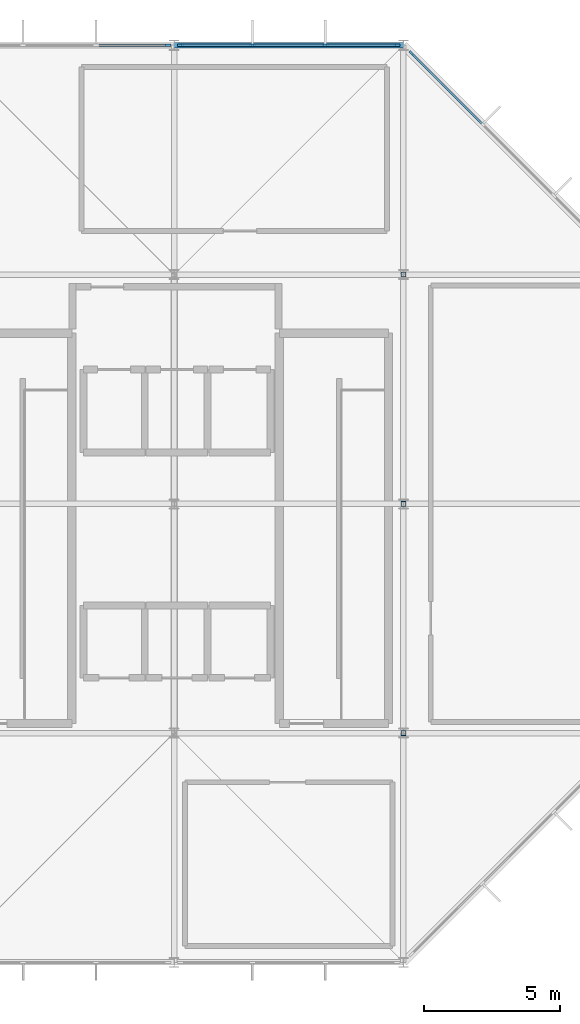
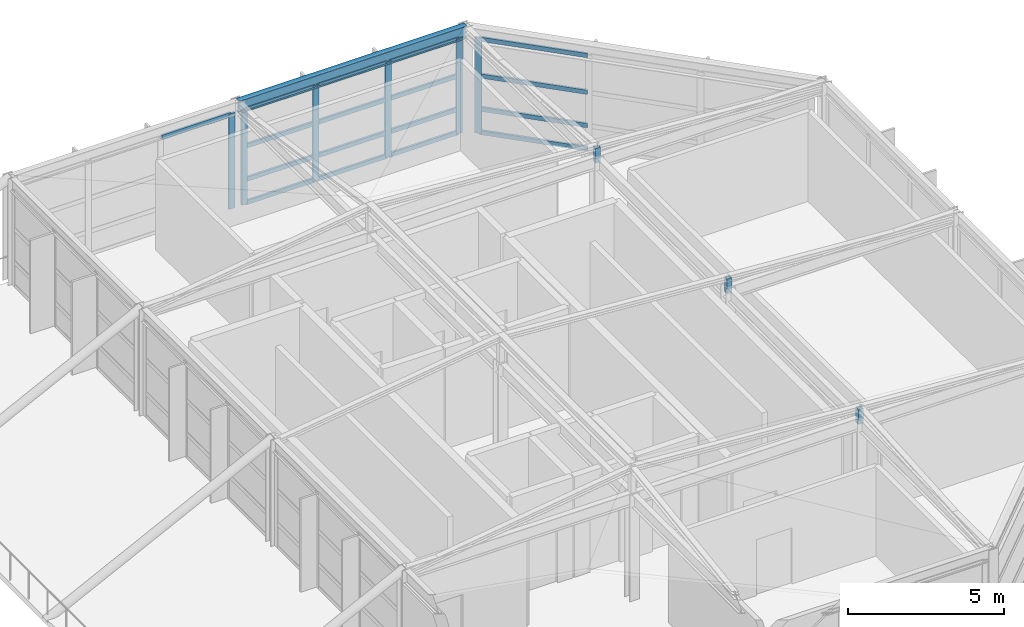
# One storey, part 5 of 9: 26 members, 1 beam, 3 elements without a shape of their own.
"""IFC4 building model written with IfcOpenShell, lengths in metres."""

from ifc_helpers import new_model, si_unit, direction, frame, origin, origin_2d, place, context, subcontext, project, spatial, rectangle, hollow_rectangle, i_section, extrude, material, material_profile, profile_set, type_object, element, aggregate, save


model = new_model("IFC4")

# Units and contexts
model_context = context("Model", 3, precision=1e-05, world=origin(), true_north=direction((0.0, 1.0)))
body_context = subcontext(model_context, "Body", "Model", "MODEL_VIEW")
ifc_project = project(units=[si_unit("LENGTHUNIT", "METRE"), si_unit("AREAUNIT", "SQUARE_METRE"), si_unit("VOLUMEUNIT", "CUBIC_METRE"), si_unit("PLANEANGLEUNIT", "RADIAN"), si_unit("MASSUNIT", "GRAM", prefix="KILO")], contexts=[model_context])

# Site, building, storey
site_placement = place(None, origin())
site = spatial("IfcSite", under=ifc_project, at=site_placement, CompositionType="ELEMENT")
building_placement = place(site_placement, origin())
building = spatial("IfcBuilding", under=site, at=building_placement, Name="Xuanlan Plaza Opera House", CompositionType="ELEMENT")
storey_placement = place(building_placement, frame((0.0, 0.0, 74.39990234375)))
storey = spatial("IfcBuildingStorey", under=building, at=storey_placement, Name="ROOF", CompositionType="ELEMENT", Elevation=74.39990234375)

# Curtain wall, member
ifc_material_1 = material(Name="Anodised Aluminium 6063-T6 and Low-E Glass", Category="aluminium")
curtain_wall_type_1 = type_object("IfcCurtainWallType", Name="ENV-CW-CW-04", PredefinedType="USERDEFINED", material=ifc_material_1)
curtain_wall_1_placement = place(storey_placement, origin())
curtain_wall_1 = element("IfcCurtainWall", 1, at=curtain_wall_1_placement, inside=storey, type_object=curtain_wall_type_1, Name="Unitised Curtain Wall ROOF-006", ObjectType="UNITISED CURTAIN WALL", PredefinedType="USERDEFINED")
ifc_material_2 = material(Name="Anodised Aluminium 6063-T6", Category="aluminium")
ifc_material_profile_1 = material_profile(ifc_material_2, rectangle(XDim=0.080078125, YDim=0.219970703125, at=origin_2d()), Name="ALU-M 80x220")
ifc_profile_set_1 = profile_set([ifc_material_profile_1], Name="Anodised Aluminium 6063-T6")
member_type_1 = type_object("IfcMemberType", Name="ENV-CWM-04", PredefinedType="MULLION", material=ifc_profile_set_1)
member_1_placement = place(storey_placement, frame((151.502197265625, 75.297607421875, 0.0), z_axis=(0.0, 0.0, 1.0), x_axis=(-0.707106781187, -0.707106781187, 0.0)))
member_1 = element("IfcMember", 2, at=member_1_placement, type_object=member_type_1, Name="CW-04 mullion 4", PredefinedType="MULLION", context=body_context, shape_type="SweptSolid", body=[
    extrude(rectangle(XDim=0.080078125, YDim=0.219970703125, at=origin_2d()), origin(), (0.0, 0.0, 1.0), 3.72021484375),
])

# Curtain wall, members
curtain_wall_type_2 = type_object("IfcCurtainWallType", Name="ENV-CW-CW-03", PredefinedType="USERDEFINED", material=ifc_material_1)
curtain_wall_2_placement = place(storey_placement, origin())
curtain_wall_2 = element("IfcCurtainWall", 3, at=curtain_wall_2_placement, inside=storey, type_object=curtain_wall_type_2, Name="Unitised Curtain Wall ROOF-007", ObjectType="UNITISED CURTAIN WALL", PredefinedType="USERDEFINED")
member_2_placement = place(storey_placement, frame((150.965087890625, 75.60009765625, 0.0), z_axis=(0.0, 0.0, 1.0), x_axis=(0.0, -1.0, 0.0)))
member_2 = element("IfcMember", 4, at=member_2_placement, type_object=member_type_1, Name="CW-03 mullion 1", PredefinedType="MULLION", context=body_context, shape_type="SweptSolid", body=[
    extrude(rectangle(XDim=0.080078125, YDim=0.219970703125, at=origin_2d()), origin(), (0.0, 0.0, 1.0), 3.72021484375),
])
member_3_placement = place(storey_placement, frame((148.3349609375, 75.60009765625, 0.0), z_axis=(0.0, 0.0, 1.0), x_axis=(0.0, -1.0, 0.0)))
member_3 = element("IfcMember", 5, at=member_3_placement, type_object=member_type_1, Name="CW-03 mullion 2", PredefinedType="MULLION", context=body_context, shape_type="SweptSolid", body=[
    extrude(rectangle(XDim=0.080078125, YDim=0.219970703125, at=origin_2d()), origin(), (0.0, 0.0, 1.0), 3.72021484375),
])
member_4_placement = place(storey_placement, frame((145.6650390625, 75.60009765625, 0.0), z_axis=(0.0, 0.0, 1.0), x_axis=(0.0, -1.0, 0.0)))
member_4 = element("IfcMember", 6, at=member_4_placement, type_object=member_type_1, Name="CW-03 mullion 3", PredefinedType="MULLION", context=body_context, shape_type="SweptSolid", body=[
    extrude(rectangle(XDim=0.080078125, YDim=0.219970703125, at=origin_2d()), origin(), (0.0, 0.0, 1.0), 3.72021484375),
])
member_5_placement = place(storey_placement, frame((143.034912109375, 75.60009765625, 0.0), z_axis=(0.0, 0.0, 1.0), x_axis=(0.0, -1.0, 0.0)))
member_5 = element("IfcMember", 7, at=member_5_placement, type_object=member_type_1, Name="CW-03 mullion 4", PredefinedType="MULLION", context=body_context, shape_type="SweptSolid", body=[
    extrude(rectangle(XDim=0.080078125, YDim=0.219970703125, at=origin_2d()), origin(), (0.0, 0.0, 1.0), 3.72021484375),
])

# Curtain wall, member
curtain_wall_3_placement = place(storey_placement, origin())
curtain_wall_3 = element("IfcCurtainWall", 8, at=curtain_wall_3_placement, inside=storey, type_object=curtain_wall_type_1, Name="Unitised Curtain Wall ROOF-008", ObjectType="UNITISED CURTAIN WALL", PredefinedType="USERDEFINED")
member_6_placement = place(storey_placement, frame((142.56494140625, 75.60009765625, 0.0), z_axis=(0.0, 0.0, 1.0), x_axis=(0.0, -1.0, 0.0)))
member_6 = element("IfcMember", 9, at=member_6_placement, type_object=member_type_1, Name="CW-04 mullion 1", PredefinedType="MULLION", context=body_context, shape_type="SweptSolid", body=[
    extrude(rectangle(XDim=0.080078125, YDim=0.219970703125, at=origin_2d()), origin(), (0.0, 0.0, 1.0), 3.72021484375),
])

# Member
ifc_material_profile_2 = material_profile(ifc_material_2, rectangle(XDim=0.080078125, YDim=0.1650390625, at=origin_2d()), Name="ALU-T 80x165")
ifc_profile_set_2 = profile_set([ifc_material_profile_2], Name="Anodised Aluminium 6063-T6")
member_type_2 = type_object("IfcMemberType", Name="ENV-CWT-04", PredefinedType="USERDEFINED", material=ifc_profile_set_2)
member_7_placement = place(storey_placement, frame((154.06298828125, 72.737060546875, 0.0400390625), z_axis=(-0.707106781187, 0.707106781187, 0.0), x_axis=(-0.707106781187, -0.707106781187, 0.0)))
member_7 = element("IfcMember", 10, at=member_7_placement, type_object=member_type_2, Name="CW-04 transom 3.1", ObjectType="TRANSOM", PredefinedType="USERDEFINED", context=body_context, shape_type="SweptSolid", body=[
    extrude(rectangle(XDim=0.080078125, YDim=0.1650390625, at=origin_2d()), origin(), (0.0, 0.0, 1.0), 3.58154296875),
])

member_8_placement = place(storey_placement, frame((154.06298828125, 72.737060546875, 0.9501953125), z_axis=(-0.707106781187, 0.707106781187, 0.0), x_axis=(-0.707106781187, -0.707106781187, 0.0)))
member_8 = element("IfcMember", 11, at=member_8_placement, type_object=member_type_2, Name="CW-04 transom 3.2", ObjectType="TRANSOM", PredefinedType="USERDEFINED", context=body_context, shape_type="SweptSolid", body=[
    extrude(rectangle(XDim=0.080078125, YDim=0.1650390625, at=origin_2d()), origin(), (0.0, 0.0, 1.0), 3.58154296875),
])

member_9_placement = place(storey_placement, frame((154.06298828125, 72.737060546875, 2.25), z_axis=(-0.707106781187, 0.707106781187, 0.0), x_axis=(-0.707106781187, -0.707106781187, 0.0)))
member_9 = element("IfcMember", 12, at=member_9_placement, type_object=member_type_2, Name="CW-04 transom 3.3", ObjectType="TRANSOM", PredefinedType="USERDEFINED", context=body_context, shape_type="SweptSolid", body=[
    extrude(rectangle(XDim=0.080078125, YDim=0.1650390625, at=origin_2d()), origin(), (0.0, 0.0, 1.0), 3.58154296875),
])

member_10_placement = place(storey_placement, frame((154.06298828125, 72.737060546875, 3.68017578125), z_axis=(-0.707106781187, 0.707106781187, 0.0), x_axis=(-0.707106781187, -0.707106781187, 0.0)))
member_10 = element("IfcMember", 13, at=member_10_placement, type_object=member_type_2, Name="CW-04 transom 3.4", ObjectType="TRANSOM", PredefinedType="USERDEFINED", context=body_context, shape_type="SweptSolid", body=[
    extrude(rectangle(XDim=0.080078125, YDim=0.1650390625, at=origin_2d()), origin(), (0.0, 0.0, 1.0), 3.58154296875),
])

aggregate(curtain_wall_1, [member_1, member_7, member_8, member_9, member_10])

member_11_placement = place(storey_placement, frame((150.925048828125, 75.60009765625, 0.0400390625), z_axis=(-1.0, 0.0, 0.0), x_axis=(0.0, -1.0, 0.0)))
member_11 = element("IfcMember", 14, at=member_11_placement, type_object=member_type_2, Name="CW-03 transom 1.1", ObjectType="TRANSOM", PredefinedType="USERDEFINED", context=body_context, shape_type="SweptSolid", body=[
    extrude(rectangle(XDim=0.080078125, YDim=0.1650390625, at=origin_2d()), origin(), (0.0, 0.0, 1.0), 2.550048828125),
])

member_12_placement = place(storey_placement, frame((150.925048828125, 75.60009765625, 0.9501953125), z_axis=(-1.0, 0.0, 0.0), x_axis=(0.0, -1.0, 0.0)))
member_12 = element("IfcMember", 15, at=member_12_placement, type_object=member_type_2, Name="CW-03 transom 1.2", ObjectType="TRANSOM", PredefinedType="USERDEFINED", context=body_context, shape_type="SweptSolid", body=[
    extrude(rectangle(XDim=0.080078125, YDim=0.1650390625, at=origin_2d()), origin(), (0.0, 0.0, 1.0), 2.550048828125),
])

member_13_placement = place(storey_placement, frame((150.925048828125, 75.60009765625, 2.25), z_axis=(-1.0, 0.0, 0.0), x_axis=(0.0, -1.0, 0.0)))
member_13 = element("IfcMember", 16, at=member_13_placement, type_object=member_type_2, Name="CW-03 transom 1.3", ObjectType="TRANSOM", PredefinedType="USERDEFINED", context=body_context, shape_type="SweptSolid", body=[
    extrude(rectangle(XDim=0.080078125, YDim=0.1650390625, at=origin_2d()), origin(), (0.0, 0.0, 1.0), 2.550048828125),
])

member_14_placement = place(storey_placement, frame((150.925048828125, 75.60009765625, 3.68017578125), z_axis=(-1.0, 0.0, 0.0), x_axis=(0.0, -1.0, 0.0)))
member_14 = element("IfcMember", 17, at=member_14_placement, type_object=member_type_2, Name="CW-03 transom 1.4", ObjectType="TRANSOM", PredefinedType="USERDEFINED", context=body_context, shape_type="SweptSolid", body=[
    extrude(rectangle(XDim=0.080078125, YDim=0.1650390625, at=origin_2d()), origin(), (0.0, 0.0, 1.0), 2.550048828125),
])

member_15_placement = place(storey_placement, frame((148.294921875, 75.60009765625, 0.0400390625), z_axis=(-1.0, 0.0, 0.0), x_axis=(0.0, -1.0, 0.0)))
member_15 = element("IfcMember", 18, at=member_15_placement, type_object=member_type_2, Name="CW-03 transom 2.1", ObjectType="TRANSOM", PredefinedType="USERDEFINED", context=body_context, shape_type="SweptSolid", body=[
    extrude(rectangle(XDim=0.080078125, YDim=0.1650390625, at=origin_2d()), origin(), (0.0, 0.0, 1.0), 2.58984375),
])

member_16_placement = place(storey_placement, frame((148.294921875, 75.60009765625, 0.9501953125), z_axis=(-1.0, 0.0, 0.0), x_axis=(0.0, -1.0, 0.0)))
member_16 = element("IfcMember", 19, at=member_16_placement, type_object=member_type_2, Name="CW-03 transom 2.2", ObjectType="TRANSOM", PredefinedType="USERDEFINED", context=body_context, shape_type="SweptSolid", body=[
    extrude(rectangle(XDim=0.080078125, YDim=0.1650390625, at=origin_2d()), origin(), (0.0, 0.0, 1.0), 2.58984375),
])

member_17_placement = place(storey_placement, frame((148.294921875, 75.60009765625, 2.25), z_axis=(-1.0, 0.0, 0.0), x_axis=(0.0, -1.0, 0.0)))
member_17 = element("IfcMember", 20, at=member_17_placement, type_object=member_type_2, Name="CW-03 transom 2.3", ObjectType="TRANSOM", PredefinedType="USERDEFINED", context=body_context, shape_type="SweptSolid", body=[
    extrude(rectangle(XDim=0.080078125, YDim=0.1650390625, at=origin_2d()), origin(), (0.0, 0.0, 1.0), 2.58984375),
])

member_18_placement = place(storey_placement, frame((148.294921875, 75.60009765625, 3.68017578125), z_axis=(-1.0, 0.0, 0.0), x_axis=(0.0, -1.0, 0.0)))
member_18 = element("IfcMember", 21, at=member_18_placement, type_object=member_type_2, Name="CW-03 transom 2.4", ObjectType="TRANSOM", PredefinedType="USERDEFINED", context=body_context, shape_type="SweptSolid", body=[
    extrude(rectangle(XDim=0.080078125, YDim=0.1650390625, at=origin_2d()), origin(), (0.0, 0.0, 1.0), 2.58984375),
])

member_19_placement = place(storey_placement, frame((145.625, 75.60009765625, 0.0400390625), z_axis=(-1.0, 0.0, 0.0), x_axis=(0.0, -1.0, 0.0)))
member_19 = element("IfcMember", 22, at=member_19_placement, type_object=member_type_2, Name="CW-03 transom 3.1", ObjectType="TRANSOM", PredefinedType="USERDEFINED", context=body_context, shape_type="SweptSolid", body=[
    extrude(rectangle(XDim=0.080078125, YDim=0.1650390625, at=origin_2d()), origin(), (0.0, 0.0, 1.0), 2.550048828125),
])

member_20_placement = place(storey_placement, frame((145.625, 75.60009765625, 0.9501953125), z_axis=(-1.0, 0.0, 0.0), x_axis=(0.0, -1.0, 0.0)))
member_20 = element("IfcMember", 23, at=member_20_placement, type_object=member_type_2, Name="CW-03 transom 3.2", ObjectType="TRANSOM", PredefinedType="USERDEFINED", context=body_context, shape_type="SweptSolid", body=[
    extrude(rectangle(XDim=0.080078125, YDim=0.1650390625, at=origin_2d()), origin(), (0.0, 0.0, 1.0), 2.550048828125),
])

member_21_placement = place(storey_placement, frame((145.625, 75.60009765625, 2.25), z_axis=(-1.0, 0.0, 0.0), x_axis=(0.0, -1.0, 0.0)))
member_21 = element("IfcMember", 24, at=member_21_placement, type_object=member_type_2, Name="CW-03 transom 3.3", ObjectType="TRANSOM", PredefinedType="USERDEFINED", context=body_context, shape_type="SweptSolid", body=[
    extrude(rectangle(XDim=0.080078125, YDim=0.1650390625, at=origin_2d()), origin(), (0.0, 0.0, 1.0), 2.550048828125),
])

member_22_placement = place(storey_placement, frame((145.625, 75.60009765625, 3.68017578125), z_axis=(-1.0, 0.0, 0.0), x_axis=(0.0, -1.0, 0.0)))
member_22 = element("IfcMember", 25, at=member_22_placement, type_object=member_type_2, Name="CW-03 transom 3.4", ObjectType="TRANSOM", PredefinedType="USERDEFINED", context=body_context, shape_type="SweptSolid", body=[
    extrude(rectangle(XDim=0.080078125, YDim=0.1650390625, at=origin_2d()), origin(), (0.0, 0.0, 1.0), 2.550048828125),
])

aggregate(curtain_wall_2, [member_2, member_3, member_4, member_5, member_11, member_12, member_13, member_14, member_15, member_16, member_17, member_18, member_19, member_20, member_21, member_22])

member_23_placement = place(storey_placement, frame((142.52490234375, 75.60009765625, 3.68017578125), z_axis=(-1.0, 0.0, 0.0), x_axis=(0.0, -1.0, 0.0)))
member_23 = element("IfcMember", 26, at=member_23_placement, type_object=member_type_2, Name="CW-04 transom 1.4", ObjectType="TRANSOM", PredefinedType="USERDEFINED", context=body_context, shape_type="SweptSolid", body=[
    extrude(rectangle(XDim=0.080078125, YDim=0.1650390625, at=origin_2d()), origin(), (0.0, 0.0, 1.0), 2.5498046875),
])

aggregate(curtain_wall_3, [member_6, member_23])

# Beam
ifc_material_3 = material(Name="Steel Q355B", Category="steel")
ifc_material_profile_3 = material_profile(ifc_material_3, i_section(OverallWidth=0.199951171875, OverallDepth=0.5, WebThickness=0.010009765625, FlangeThickness=0.01611328125, FilletRadius=0.02001953125, at=origin_2d()), Name="HN 500x200x10x16")
ifc_profile_set_3 = profile_set([ifc_material_profile_3], Name="Steel Q355B")
beam_type = type_object("IfcBeamType", Name="STR-BM-SB-05", PredefinedType="BEAM", material=ifc_profile_set_3)
beam_placement = place(storey_placement, frame((142.800048828125, 75.60009765625, 3.900146484375), z_axis=(1.0, 0.0, 0.0), x_axis=(0.0, 1.0, 0.0)))
element("IfcBeam", 27, at=beam_placement, inside=storey, type_object=beam_type, Name="Crown Sky-Lantern Beam X ROOF 18-19/J", PredefinedType="BEAM", context=body_context, shape_type="SweptSolid", body=[
    extrude(i_section(OverallWidth=0.199951171875, OverallDepth=0.5, WebThickness=0.010009765625, FlangeThickness=0.01611328125, FilletRadius=0.02001953125, at=origin_2d()), origin(), (0.0, 0.0, 1.0), 8.39990234375),
])

# Members
ifc_material_profile_4 = material_profile(ifc_material_3, hollow_rectangle(XDim=0.179931640625, YDim=0.179931640625, WallThickness=0.010009765625, at=origin_2d()), Name="SHS 180x180x10")
ifc_profile_set_4 = profile_set([ifc_material_profile_4], Name="Steel Q355B")
member_type_3 = type_object("IfcMemberType", Name="STR-MEM-ST-M2", PredefinedType="STRUT", material=ifc_profile_set_4)
for number, where, z_axis, x_axis, name in (
    (28, (151.199951171875, 50.39990234375, 3.900146484375), (0.0, 0.0, 1.0), (1.0, 0.0, 0.0), "Crown Lantern King-Post Strut 04"),
    (29, (151.199951171875, 58.800048828125, 3.900146484375), (0.0, 0.0, 1.0), (1.0, 0.0, 0.0), "Crown Lantern King-Post Strut 05"),
    (30, (151.199951171875, 67.199951171875, 3.900146484375), (0.0, 0.0, 1.0), (1.0, 0.0, 0.0), "Crown Lantern King-Post Strut 06"),
):
    element("IfcMember", number, at=place(storey_placement, frame(where, z_axis=z_axis, x_axis=x_axis)), inside=storey, type_object=member_type_3, Name=name, PredefinedType="STRUT", context=body_context, shape_type="SweptSolid", body=[
        extrude(hollow_rectangle(XDim=0.179931640625, YDim=0.179931640625, WallThickness=0.010009765625, at=origin_2d()), origin(), (0.0, 0.0, 1.0), 0.579833984375),
    ])

save(model, "model.ifc")
